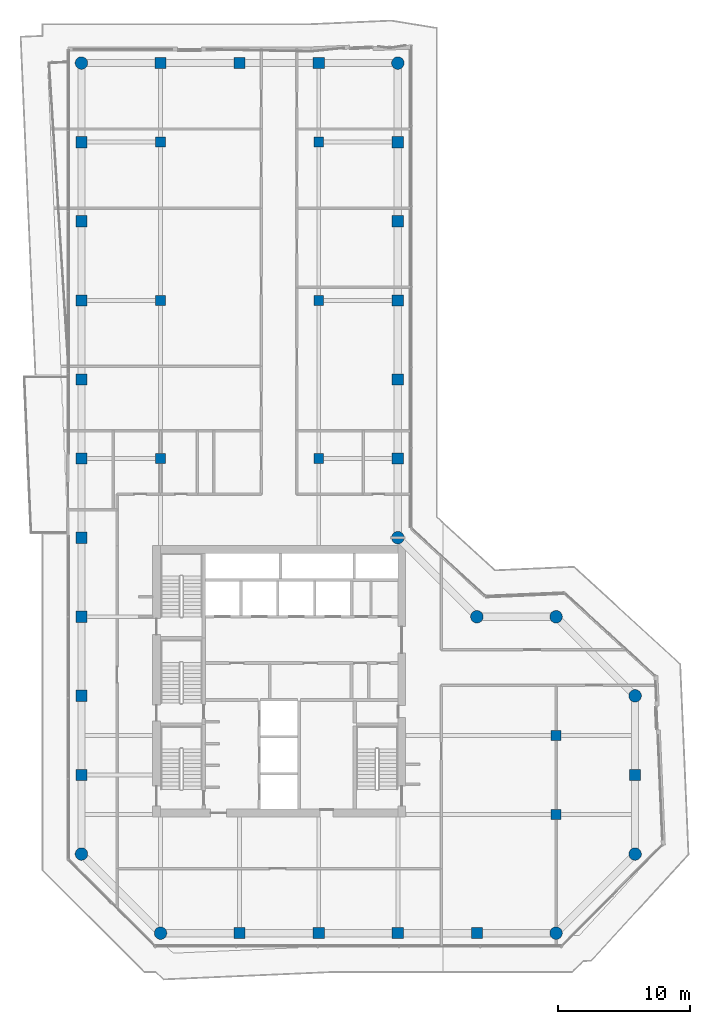
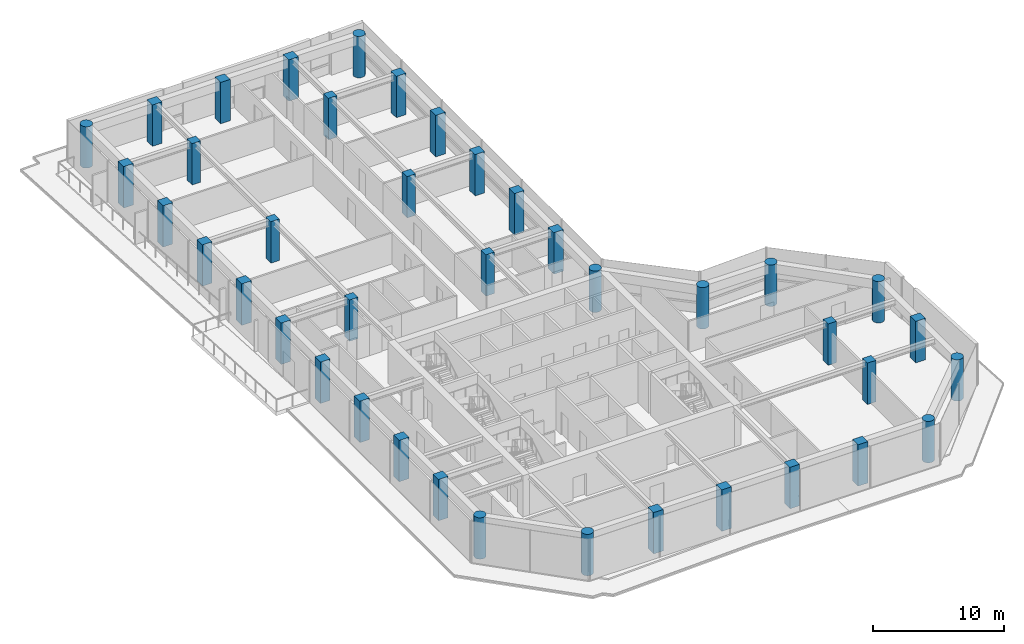
# One storey, part 1 of 21: 40 columns.
"""IFC4 building model written with IfcOpenShell, lengths in metres."""

from ifc_helpers import new_model, si_unit, direction, frame, origin, origin_2d, place, context, subcontext, project, spatial, rectangle, circle, extrude, material, material_profile, profile_set, type_object, element, save


model = new_model("IFC4")

# Units and contexts
model_context = context("Model", 3, precision=1e-05, world=origin(), true_north=direction((0.0, 1.0)))
body_context = subcontext(model_context, "Body", "Model", "MODEL_VIEW")
ifc_project = project(units=[si_unit("LENGTHUNIT", "METRE"), si_unit("AREAUNIT", "SQUARE_METRE"), si_unit("VOLUMEUNIT", "CUBIC_METRE"), si_unit("PLANEANGLEUNIT", "RADIAN"), si_unit("MASSUNIT", "GRAM", prefix="KILO")], contexts=[model_context])

# Site, building, storey
site_placement = place(None, origin())
site = spatial("IfcSite", under=ifc_project, at=site_placement, CompositionType="ELEMENT")
building_placement = place(site_placement, origin())
building = spatial("IfcBuilding", under=site, at=building_placement, Name="Welwitschia Terrace Campus", CompositionType="ELEMENT")
storey_placement = place(building_placement, frame((0.0, 0.0, 180.199951171875)))
storey = spatial("IfcBuildingStorey", under=building, at=storey_placement, Name="L40", CompositionType="ELEMENT", Elevation=180.199951171875)

# Columns
ifc_material_1 = material(Name="Concrete C50/60", Category="concrete")
ifc_material_profile_1 = material_profile(ifc_material_1, circle(Radius=0.47509765625, at=origin_2d()))
ifc_profile_set_1 = profile_set([ifc_material_profile_1], Name="Concrete C50/60")
column_type_1 = type_object("IfcColumnType", Name="Corner column 950 dia", PredefinedType="COLUMN", material=ifc_profile_set_1)
for number, where, z_axis, x_axis, name in (
    (1, (0.0, 2.0, 0.0), (0.0, 0.0, 1.0), (1.0, 0.0, 0.0), "Column C24"),
    (2, (0.0, 62.0, 0.0), (0.0, 0.0, 1.0), (1.0, 0.0, 0.0), "Column C24"),
    (3, (6.0, -4.0, 0.0), (0.0, 0.0, 1.0), (1.0, 0.0, 0.0), "Column C24"),
    (4, (24.0, 26.0, 0.0), (0.0, 0.0, 1.0), (1.0, 0.0, 0.0), "Column C24"),
    (5, (24.0, 62.0, 0.0), (0.0, 0.0, 1.0), (1.0, 0.0, 0.0), "Column C24"),
    (6, (30.0, 20.0, 0.0), (0.0, 0.0, 1.0), (1.0, 0.0, 0.0), "Column C24"),
    (7, (36.0, -4.0, 0.0), (0.0, 0.0, 1.0), (1.0, 0.0, 0.0), "Column C24"),
    (8, (36.0, 20.0, 0.0), (0.0, 0.0, 1.0), (1.0, 0.0, 0.0), "Column C24"),
    (9, (42.0, 2.0, 0.0), (0.0, 0.0, 1.0), (1.0, 0.0, 0.0), "Column C24"),
    (10, (42.0, 14.0, 0.0), (0.0, 0.0, 1.0), (1.0, 0.0, 0.0), "Column C24"),
):
    element("IfcColumn", number, at=place(storey_placement, frame(where, z_axis=z_axis, x_axis=x_axis)), inside=storey, type_object=column_type_1, Name=name, PredefinedType="COLUMN", context=body_context, shape_type="SweptSolid", body=[
        extrude(circle(Radius=0.47509765625, at=origin_2d()), origin(), (0.0, 0.0, 1.0), 3.85009765625),
    ])
ifc_material_2 = material(Name="Concrete C50/60", Category="concrete")
ifc_material_profile_2 = material_profile(ifc_material_2, rectangle(XDim=0.75, YDim=0.75, at=origin_2d()))
ifc_profile_set_2 = profile_set([ifc_material_profile_2], Name="Concrete C50/60")
column_type_2 = type_object("IfcColumnType", Name="Interior column 750x750", PredefinedType="COLUMN", material=ifc_profile_set_2)
for number, where, z_axis, x_axis, name in (
    (11, (6.0, 32.0, 0.0), (0.0, 0.0, 1.0), (1.0, 0.0, 0.0), "Column C25"),
    (12, (6.0, 44.0, 0.0), (0.0, 0.0, 1.0), (1.0, 0.0, 0.0), "Column C25"),
    (13, (6.0, 56.0, 0.0), (0.0, 0.0, 1.0), (1.0, 0.0, 0.0), "Column C25"),
    (14, (18.0, 32.0, 0.0), (0.0, 0.0, 1.0), (1.0, 0.0, 0.0), "Column C25"),
    (15, (18.0, 44.0, 0.0), (0.0, 0.0, 1.0), (1.0, 0.0, 0.0), "Column C25"),
    (16, (18.0, 56.0, 0.0), (0.0, 0.0, 1.0), (1.0, 0.0, 0.0), "Column C25"),
    (17, (36.0, 5.0, 0.0), (0.0, 0.0, 1.0), (1.0, 0.0, 0.0), "Column C25"),
    (18, (36.0, 11.0, 0.0), (0.0, 0.0, 1.0), (1.0, 0.0, 0.0), "Column C25"),
):
    element("IfcColumn", number, at=place(storey_placement, frame(where, z_axis=z_axis, x_axis=x_axis)), inside=storey, type_object=column_type_2, Name=name, PredefinedType="COLUMN", context=body_context, shape_type="SweptSolid", body=[
        extrude(rectangle(XDim=0.75, YDim=0.75, at=origin_2d()), origin(), (0.0, 0.0, 1.0), 3.85009765625),
    ])
ifc_material_3 = material(Name="Concrete C50/60", Category="concrete")
ifc_material_profile_3 = material_profile(ifc_material_3, rectangle(XDim=0.85009765625, YDim=0.85009765625, at=origin_2d()))
ifc_profile_set_3 = profile_set([ifc_material_profile_3], Name="Concrete C50/60")
column_type_3 = type_object("IfcColumnType", Name="Ring column 850x850", PredefinedType="COLUMN", material=ifc_profile_set_3)
for number, where, z_axis, x_axis, name in (
    (19, (0.0, 8.0, 0.0), (0.0, 0.0, 1.0), (1.0, 0.0, 0.0), "Column C23"),
    (20, (0.0, 14.0, 0.0), (0.0, 0.0, 1.0), (1.0, 0.0, 0.0), "Column C23"),
    (21, (0.0, 20.0, 0.0), (0.0, 0.0, 1.0), (1.0, 0.0, 0.0), "Column C23"),
    (22, (0.0, 26.0, 0.0), (0.0, 0.0, 1.0), (1.0, 0.0, 0.0), "Column C23"),
    (23, (0.0, 32.0, 0.0), (0.0, 0.0, 1.0), (1.0, 0.0, 0.0), "Column C23"),
    (24, (0.0, 38.0, 0.0), (0.0, 0.0, 1.0), (1.0, 0.0, 0.0), "Column C23"),
    (25, (0.0, 44.0, 0.0), (0.0, 0.0, 1.0), (1.0, 0.0, 0.0), "Column C23"),
    (26, (0.0, 50.0, 0.0), (0.0, 0.0, 1.0), (1.0, 0.0, 0.0), "Column C23"),
    (27, (0.0, 56.0, 0.0), (0.0, 0.0, 1.0), (1.0, 0.0, 0.0), "Column C23"),
    (28, (6.0, 62.0, 0.0), (0.0, 0.0, 1.0), (1.0, 0.0, 0.0), "Column C23"),
    (29, (12.0, -4.0, 0.0), (0.0, 0.0, 1.0), (1.0, 0.0, 0.0), "Column C23"),
    (30, (12.0, 62.0, 0.0), (0.0, 0.0, 1.0), (1.0, 0.0, 0.0), "Column C23"),
    (31, (18.0, -4.0, 0.0), (0.0, 0.0, 1.0), (1.0, 0.0, 0.0), "Column C23"),
    (32, (18.0, 62.0, 0.0), (0.0, 0.0, 1.0), (1.0, 0.0, 0.0), "Column C23"),
    (33, (24.0, -4.0, 0.0), (0.0, 0.0, 1.0), (1.0, 0.0, 0.0), "Column C23"),
    (34, (24.0, 32.0, 0.0), (0.0, 0.0, 1.0), (1.0, 0.0, 0.0), "Column C23"),
    (35, (24.0, 38.0, 0.0), (0.0, 0.0, 1.0), (1.0, 0.0, 0.0), "Column C23"),
    (36, (24.0, 44.0, 0.0), (0.0, 0.0, 1.0), (1.0, 0.0, 0.0), "Column C23"),
    (37, (24.0, 50.0, 0.0), (0.0, 0.0, 1.0), (1.0, 0.0, 0.0), "Column C23"),
    (38, (24.0, 56.0, 0.0), (0.0, 0.0, 1.0), (1.0, 0.0, 0.0), "Column C23"),
    (39, (30.0, -4.0, 0.0), (0.0, 0.0, 1.0), (1.0, 0.0, 0.0), "Column C23"),
    (40, (42.0, 8.0, 0.0), (0.0, 0.0, 1.0), (1.0, 0.0, 0.0), "Column C23"),
):
    element("IfcColumn", number, at=place(storey_placement, frame(where, z_axis=z_axis, x_axis=x_axis)), inside=storey, type_object=column_type_3, Name=name, PredefinedType="COLUMN", context=body_context, shape_type="SweptSolid", body=[
        extrude(rectangle(XDim=0.85009765625, YDim=0.85009765625, at=origin_2d()), origin(), (0.0, 0.0, 1.0), 3.85009765625),
    ])

save(model, "model.ifc")
